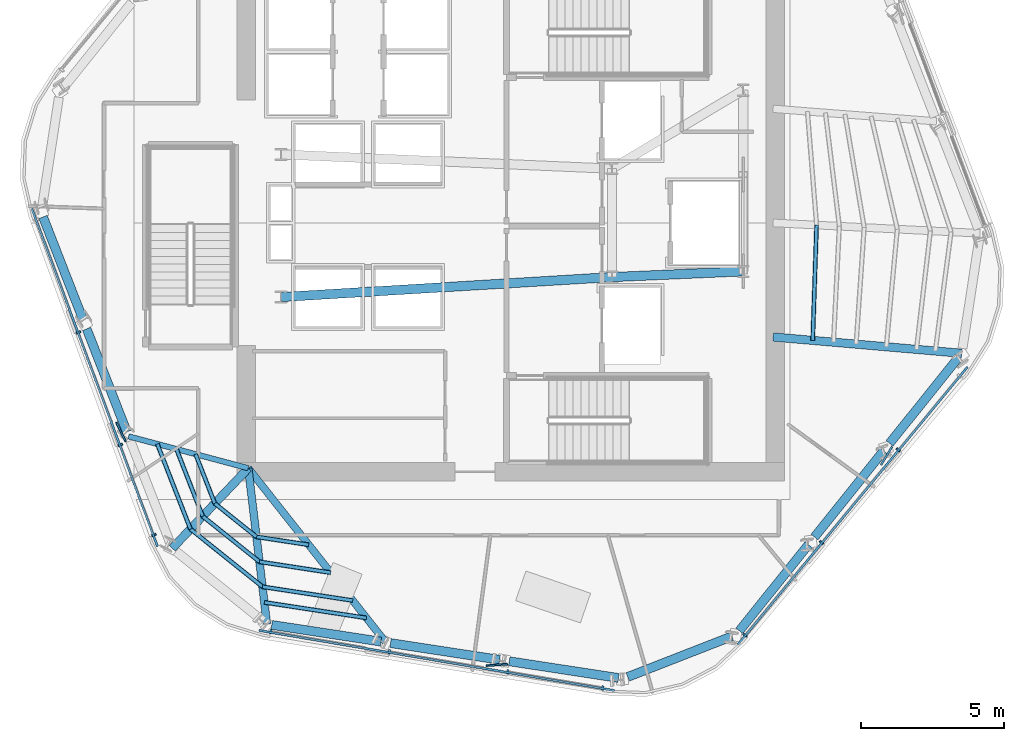
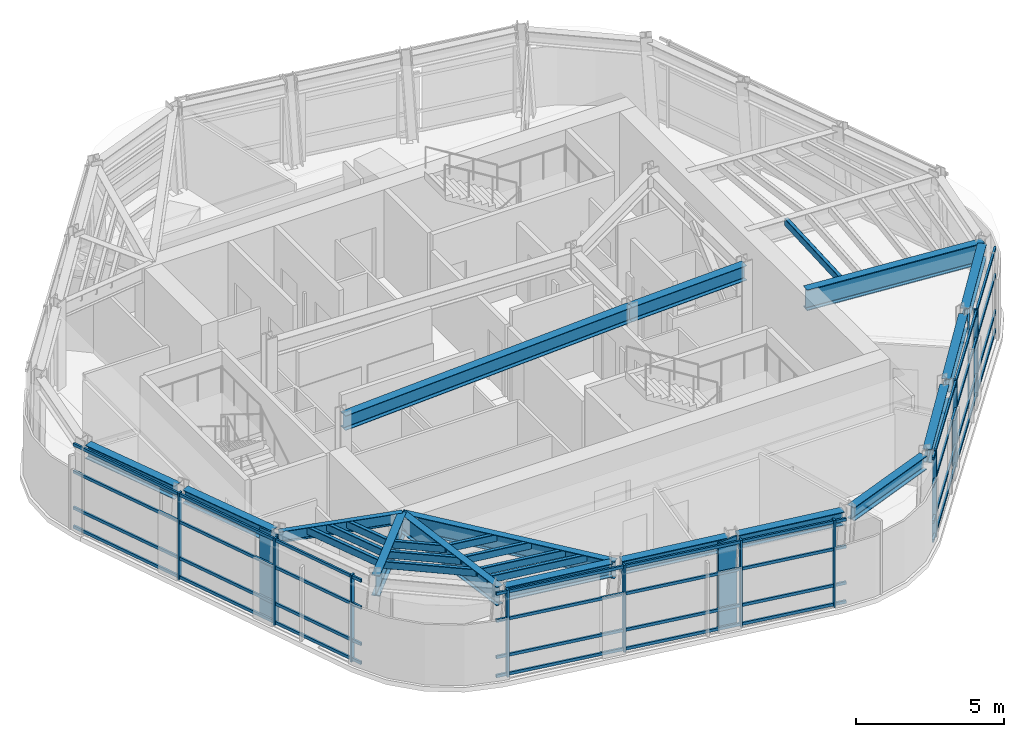
# One storey, part 2 of 12: 36 members, 16 beams, 3 elements without a shape of their own.
"""IFC4 building model written with IfcOpenShell, lengths in metres."""

import ifcopenshell
import ifcopenshell.guid

model = None  # the IFC model being written
_history = None  # IfcOwnerHistory: only IFC2X3 demands one
_inside = {}  # id of a spatial element -> (the spatial element, [elements in it])
_under = {}  # id of a project, library or spatial element -> (it, [spatial elements below it])
_declared = {}  # id of a project -> (the project, [libraries it declares])
_typed = {}  # id of a type object -> (the type object, [elements of that type])
_made_of = {}  # id of a material, layer set ... -> (it, [elements and type objects made of it])


def new_model(schema):
    """Start an empty IFC model of exactly this schema.

    Asked for "IFC4X3", IfcOpenShell would pick the latest addendum, in which some entities
    have other attributes; the version numbers below select the first issue.
    IFC2X3 requires an IfcOwnerHistory on every rooted entity: one is made here for all.
    """
    global model, _history
    if schema == "IFC4X3":
        model = ifcopenshell.file(schema_version=(4, 3, 0, 0))
    else:
        model = ifcopenshell.file(schema=schema)
    _inside.clear()
    _under.clear()
    _declared.clear()
    _typed.clear()
    _made_of.clear()
    _history = None
    if model.schema == "IFC2X3":
        org = make("IfcOrganization", Name="unknown")
        user = make(
            "IfcPersonAndOrganization",
            ThePerson=make("IfcPerson", FamilyName="unknown"),
            TheOrganization=org,
        )
        app = make(
            "IfcApplication",
            ApplicationDeveloper=org,
            Version="unknown",
            ApplicationFullName="unknown",
            ApplicationIdentifier="unknown",
        )
        _history = make(
            "IfcOwnerHistory",
            OwningUser=user,
            OwningApplication=app,
            ChangeAction="ADDED",
            CreationDate=0,
        )
    return model


def make(cls, **values):
    """One entity of the class cls with the attributes given. An attribute that is None is left unset."""
    return model.create_entity(
        cls, **{name: value for name, value in values.items() if value is not None}
    )


def rooted(cls, **values):
    """An entity with a GlobalId (a new one), such as an element, a storey or a relation."""
    return make(cls, GlobalId=ifcopenshell.guid.new(), OwnerHistory=_history, **values)


def si_unit(unit_type, name, prefix=None):
    """IfcSIUnit, for example si_unit("LENGTHUNIT", "METRE", prefix="MILLI")."""
    return make("IfcSIUnit", UnitType=unit_type, Prefix=prefix, Name=name)


def assignment(units):
    """IfcUnitAssignment: the units of a project."""
    return None if units is None else make("IfcUnitAssignment", Units=units)


def point(xyz):
    """IfcCartesianPoint."""
    return None if xyz is None else make("IfcCartesianPoint", Coordinates=xyz)


def direction(xyz):
    """IfcDirection."""
    return None if xyz is None else make("IfcDirection", DirectionRatios=xyz)


def frame(location, z_axis=None, x_axis=None):
    """IfcAxis2Placement3D, a coordinate frame: its origin and axes. An axis left out is left unset."""
    return make(
        "IfcAxis2Placement3D",
        Location=point(location),
        Axis=direction(z_axis),
        RefDirection=direction(x_axis),
    )


def frame_2d(location, x_axis=None):
    """IfcAxis2Placement2D, a coordinate frame in the plane: its origin and x axis."""
    return make(
        "IfcAxis2Placement2D", Location=point(location), RefDirection=direction(x_axis)
    )


def origin():
    """The frame at (0, 0, 0) with its axes left unset."""
    return frame((0.0, 0.0, 0.0))


def origin_2d():
    """The frame at (0, 0) in the plane with its x axis left unset."""
    return frame_2d((0.0, 0.0))


def place(relative_to, where):
    """IfcLocalPlacement: puts the frame where relative to a parent placement (None: the world)."""
    return make(
        "IfcLocalPlacement", PlacementRelTo=relative_to, RelativePlacement=where
    )


def context(
    kind, dimensions, precision=None, world=None, true_north=None, identifier=None
):
    """IfcGeometricRepresentationContext, for example the 3D "Model" context."""
    return make(
        "IfcGeometricRepresentationContext",
        ContextIdentifier=identifier,
        ContextType=kind,
        CoordinateSpaceDimension=dimensions,
        Precision=precision,
        WorldCoordinateSystem=world,
        TrueNorth=true_north,
    )


def subcontext(parent, identifier, kind, view, scale=None):
    """IfcGeometricRepresentationSubContext, for example "Body" below "Model"."""
    return make(
        "IfcGeometricRepresentationSubContext",
        ContextIdentifier=identifier,
        ContextType=kind,
        ParentContext=parent,
        TargetScale=scale,
        TargetView=view,
    )


def project(units=None, contexts=None):
    """IfcProject with its units and contexts."""
    return rooted(
        "IfcProject",
        Name="project",
        RepresentationContexts=contexts,
        UnitsInContext=assignment(units),
    )


def spatial(cls, under=None, at=None, **own):
    """A site, building, storey or space (cls), placed at a placement, below another one or the project."""
    s = rooted(cls, ObjectPlacement=at, **own)
    if under is not None:
        _under.setdefault(under.id(), (under, []))[1].append(s)
    return s


def profile(cls, at=None, kind="AREA", **sizes):
    """A parametric profile (cls). Its sizes go by their IFC names, for example OverallWidth=200.0."""
    return make(cls, ProfileType=kind, Position=at, **sizes)


def rectangle(**sizes):
    """IfcRectangleProfileDef."""
    return profile("IfcRectangleProfileDef", **sizes)


def hollow_rectangle(**sizes):
    """IfcRectangleHollowProfileDef."""
    return profile("IfcRectangleHollowProfileDef", **sizes)


def i_section(**sizes):
    """IfcIShapeProfileDef."""
    return profile("IfcIShapeProfileDef", **sizes)


def extrude(swept, where, along, depth):
    """IfcExtrudedAreaSolid: the profile swept, set in the frame where, extruded along a direction by depth."""
    return make(
        "IfcExtrudedAreaSolid",
        SweptArea=swept,
        Position=where,
        ExtrudedDirection=direction(along),
        Depth=depth,
    )


def shape(context_of_items, identifier, shape_type, items):
    """IfcShapeRepresentation: the items that make up one representation, for example the "Body"."""
    return make(
        "IfcShapeRepresentation",
        ContextOfItems=context_of_items,
        RepresentationIdentifier=identifier,
        RepresentationType=shape_type,
        Items=items,
    )


def material(Name=None, Category=None):
    """IfcMaterial."""
    return make("IfcMaterial", Name=Name, Category=Category)


def layer(
    of_material, thickness, ventilated=None, Name=None, Category=None, Priority=None
):
    """IfcMaterialLayer: one layer of a wall or slab, of a material (None: an air gap)."""
    return make(
        "IfcMaterialLayer",
        Material=of_material,
        LayerThickness=thickness,
        IsVentilated=ventilated,
        Name=Name,
        Category=Category,
        Priority=Priority,
    )


def layer_set(layers, Name=None):
    """IfcMaterialLayerSet."""
    return make("IfcMaterialLayerSet", MaterialLayers=layers, LayerSetName=Name)


def material_profile(
    of_material, cross_section, Name=None, Category=None, Priority=None
):
    """IfcMaterialProfile: a cross section and its material."""
    return make(
        "IfcMaterialProfile",
        Name=Name,
        Material=of_material,
        Profile=cross_section,
        Priority=Priority,
        Category=Category,
    )


def profile_set(profiles, Name=None, composite=None):
    """IfcMaterialProfileSet."""
    return make(
        "IfcMaterialProfileSet",
        Name=Name,
        MaterialProfiles=profiles,
        CompositeProfile=composite,
    )


def made_of(thing, what):
    """Note that an element or type object is made of a material, layer set ...; save() writes the relation."""
    if what is not None:
        _made_of.setdefault(what.id(), (what, []))[1].append(thing)
    return thing


def type_object(cls, material=None, **own):
    """A type object (cls), such as IfcWallType, which elements share."""
    return made_of(rooted(cls, **own), material)


def element(
    cls,
    number,
    at=None,
    inside=None,
    cuts=None,
    type_object=None,
    material=None,
    context=None,
    identifier="Body",
    shape_type=None,
    held_by="IfcProductDefinitionShape",
    body=None,
    shapes=None,
    **own,
):
    """One element of the class cls, such as IfcWall. Its Tag is "e" and its number.

    at: its placement. inside: the storey or other place that contains it. cuts: it is an
    opening in that element (IfcRelVoidsElement). A single representation is given by context,
    identifier, shape_type and body (its items); several are given by shapes. held_by: the class
    of the entity that holds the representations. save() writes the other relations.
    """
    e = rooted(cls, Tag="e%d" % number, ObjectPlacement=at, **own)
    if body is not None:
        shapes = [shape(context, identifier, shape_type, body)]
    if shapes is not None:
        e.Representation = make(held_by, Representations=shapes)
    if inside is not None:
        _inside.setdefault(inside.id(), (inside, []))[1].append(e)
    if cuts is not None:
        rooted(
            "IfcRelVoidsElement", RelatingBuildingElement=cuts, RelatedOpeningElement=e
        )
    if type_object is not None:
        _typed.setdefault(type_object.id(), (type_object, []))[1].append(e)
    return made_of(e, material)


def aggregate(whole, parts):
    """IfcRelAggregates: a whole, such as a stair, and the parts it consists of."""
    return rooted("IfcRelAggregates", RelatingObject=whole, RelatedObjects=parts)


def save(model, path):
    """Write the relations noted so far, then the file.

    IfcRelAggregates (storeys below a building ...), IfcRelContainedInSpatialStructure (elements
    in a storey), IfcRelDefinesByType, IfcRelAssociatesMaterial and IfcRelDeclares: one each for
    every whole, place, type object, material and project.
    """
    for whole, parts in _under.values():
        aggregate(whole, parts)
    for where, things in _inside.values():
        rooted(
            "IfcRelContainedInSpatialStructure",
            RelatedElements=things,
            RelatingStructure=where,
        )
    for kind, things in _typed.values():
        rooted("IfcRelDefinesByType", RelatedObjects=things, RelatingType=kind)
    for what, things in _made_of.values():
        rooted("IfcRelAssociatesMaterial", RelatedObjects=things, RelatingMaterial=what)
    for by, libraries in _declared.values():
        rooted("IfcRelDeclares", RelatingContext=by, RelatedDefinitions=libraries)
    model.write(path)


model = new_model("IFC4")

# Units and contexts
model_context = context("Model", 3, precision=1e-05, world=origin(), true_north=direction((0.0, 1.0)))
body_context = subcontext(model_context, "Body", "Model", "MODEL_VIEW")
ifc_project = project(units=[si_unit("LENGTHUNIT", "METRE"), si_unit("AREAUNIT", "SQUARE_METRE"), si_unit("VOLUMEUNIT", "CUBIC_METRE"), si_unit("PLANEANGLEUNIT", "RADIAN"), si_unit("MASSUNIT", "GRAM", prefix="KILO")], contexts=[model_context])

# Site, building, storey
site_placement = place(None, origin())
site = spatial("IfcSite", under=ifc_project, at=site_placement, CompositionType="ELEMENT")
building_placement = place(site_placement, origin())
building = spatial("IfcBuilding", under=site, at=building_placement, Name="Valkerne Bourse Tower", CompositionType="ELEMENT")
storey_placement = place(building_placement, frame((0.0, 0.0, 239.800048828125)))
storey = spatial("IfcBuildingStorey", under=building, at=storey_placement, Name="L61", CompositionType="ELEMENT", Elevation=239.800048828125)

# Beams
ifc_material_1 = material(Name="Steel ASTM A992", Category="steel")
ifc_material_profile_1 = material_profile(ifc_material_1, i_section(OverallWidth=0.1904296875, OverallDepth=0.457275390625, WebThickness=0.009033203125, FlangeThickness=0.014404296875, FilletRadius=0.01513671875, at=origin_2d()), Name="W18X50")
ifc_profile_set_1 = profile_set([ifc_material_profile_1], Name="Steel ASTM A992")
beam_type_1 = type_object("IfcBeamType", Name="BM-W18X50", PredefinedType="JOIST", material=ifc_profile_set_1)
beam_1_placement = place(storey_placement, frame((33.404541015625, 19.516845703125, 3.371337890625), z_axis=(0.966342186035, -0.257260139721, 0.0), x_axis=(0.257260139721, 0.966342186035, 0.0)))
element("IfcBeam", 1, at=beam_1_placement, inside=storey, type_object=beam_type_1, Name="L61 Radial Composite Floor Beam 10", PredefinedType="JOIST", context=body_context, shape_type="SweptSolid", body=[
    extrude(i_section(OverallWidth=0.1904296875, OverallDepth=0.457275390625, WebThickness=0.009033203125, FlangeThickness=0.014404296875, FilletRadius=0.01513671875, at=origin_2d()), origin(), (0.0, 0.0, 1.0), 4.341796875),
])
ifc_material_profile_2 = material_profile(ifc_material_1, i_section(OverallWidth=0.31494140625, OverallDepth=0.5537109375, WebThickness=0.0166015625, FlangeThickness=0.026123046875, FilletRadius=0.020263671875, at=origin_2d()), Name="W21X132")
ifc_profile_set_2 = profile_set([ifc_material_profile_2], Name="Steel ASTM A992")
beam_type_2 = type_object("IfcBeamType", Name="BM-W21X132", PredefinedType="BEAM", material=ifc_profile_set_2)
for number, where, z_axis, x_axis, name in (
    (2, (30.40625, 27.20703125, 3.3232421875), (0.36325551787, -0.931689555988, 0.0), (0.931689555988, 0.36325551787, 0.0), "L61 Hexagonal Spandrel Ring Beam 08"),
    (3, (31.936279296875, 23.28271484375, 3.3232421875), (0.36325551787, -0.931689555988, 0.0), (0.931689555988, 0.36325551787, 0.0), "L61 Hexagonal Spandrel Ring Beam 09"),
):
    element("IfcBeam", number, at=place(storey_placement, frame(where, z_axis=z_axis, x_axis=x_axis)), inside=storey, type_object=beam_type_2, Name=name, PredefinedType="BEAM", context=body_context, shape_type="SweptSolid", body=[
        extrude(i_section(OverallWidth=0.31494140625, OverallDepth=0.5537109375, WebThickness=0.0166015625, FlangeThickness=0.026123046875, FilletRadius=0.020263671875, at=origin_2d()), origin(), (0.0, 0.0, 1.0), 3.871826171875),
    ])
beam_2_placement = place(storey_placement, frame((38.423583984375, 12.906005859375, 3.3232421875), z_axis=(0.988494557299, -0.15125643851, 0.0), x_axis=(0.15125643851, 0.988494557299, 0.0)))
element("IfcBeam", 4, at=beam_2_placement, inside=storey, type_object=beam_type_2, Name="L61 Hexagonal Spandrel Ring Beam 12", PredefinedType="BEAM", context=body_context, shape_type="SweptSolid", body=[
    extrude(i_section(OverallWidth=0.31494140625, OverallDepth=0.5537109375, WebThickness=0.0166015625, FlangeThickness=0.026123046875, FilletRadius=0.020263671875, at=origin_2d()), origin(), (0.0, 0.0, 1.0), 3.8720703125),
])
beam_3_placement = place(storey_placement, frame((42.58740234375, 12.26904296875, 3.3232421875), z_axis=(0.988493114679, -0.151265866053, 0.0), x_axis=(0.151265866053, 0.988493114679, 0.0)))
element("IfcBeam", 5, at=beam_3_placement, inside=storey, type_object=beam_type_2, Name="L61 Hexagonal Spandrel Ring Beam 13", PredefinedType="BEAM", context=body_context, shape_type="SweptSolid", body=[
    extrude(i_section(OverallWidth=0.31494140625, OverallDepth=0.5537109375, WebThickness=0.0166015625, FlangeThickness=0.026123046875, FilletRadius=0.020263671875, at=origin_2d()), origin(), (0.0, 0.0, 1.0), 3.871826171875),
])
beam_4_placement = place(storey_placement, frame((46.750732421875, 11.6318359375, 3.3232421875), z_axis=(0.988494557299, -0.15125643851, 0.0), x_axis=(0.15125643851, 0.988494557299, 0.0)))
element("IfcBeam", 6, at=beam_4_placement, inside=storey, type_object=beam_type_2, Name="L61 Hexagonal Spandrel Ring Beam 14", PredefinedType="BEAM", context=body_context, shape_type="SweptSolid", body=[
    extrude(i_section(OverallWidth=0.31494140625, OverallDepth=0.5537109375, WebThickness=0.0166015625, FlangeThickness=0.026123046875, FilletRadius=0.020263671875, at=origin_2d()), origin(), (0.0, 0.0, 1.0), 3.8720703125),
])
beam_5_placement = place(storey_placement, frame((50.90478515625, 11.082275390625, 3.3232421875), z_axis=(0.931691908063, 0.363249485135, 0.0), x_axis=(-0.363249485135, 0.931691908063, 0.0)))
element("IfcBeam", 7, at=beam_5_placement, inside=storey, type_object=beam_type_2, Name="L61 Hexagonal Spandrel Ring Beam 15", PredefinedType="BEAM", context=body_context, shape_type="SweptSolid", body=[
    extrude(i_section(OverallWidth=0.31494140625, OverallDepth=0.5537109375, WebThickness=0.0166015625, FlangeThickness=0.026123046875, FilletRadius=0.020263671875, at=origin_2d()), origin(), (0.0, 0.0, 1.0), 3.915771484375),
])
beam_6_placement = place(storey_placement, frame((54.817626953125, 12.698974609375, 3.3232421875), z_axis=(0.625248539908, 0.780425693671, 0.0), x_axis=(-0.780425693671, 0.625248539908, 0.0)))
element("IfcBeam", 8, at=beam_6_placement, inside=storey, type_object=beam_type_2, Name="L61 Hexagonal Spandrel Ring Beam 16", PredefinedType="BEAM", context=body_context, shape_type="SweptSolid", body=[
    extrude(i_section(OverallWidth=0.31494140625, OverallDepth=0.5537109375, WebThickness=0.0166015625, FlangeThickness=0.026123046875, FilletRadius=0.020263671875, at=origin_2d()), origin(), (0.0, 0.0, 1.0), 3.871826171875),
])
beam_7_placement = place(storey_placement, frame((57.451171875, 15.986083984375, 3.3232421875), z_axis=(0.625217772855, 0.780450342114, 0.0), x_axis=(-0.780450342114, 0.625217772855, 0.0)))
element("IfcBeam", 9, at=beam_7_placement, inside=storey, type_object=beam_type_2, Name="L61 Hexagonal Spandrel Ring Beam 17", PredefinedType="BEAM", context=body_context, shape_type="SweptSolid", body=[
    extrude(i_section(OverallWidth=0.31494140625, OverallDepth=0.5537109375, WebThickness=0.0166015625, FlangeThickness=0.026123046875, FilletRadius=0.020263671875, at=origin_2d()), origin(), (0.0, 0.0, 1.0), 3.8720703125),
])
beam_8_placement = place(storey_placement, frame((60.084716796875, 19.2734375, 3.3232421875), z_axis=(0.625248539908, 0.780425693671, 0.0), x_axis=(-0.780425693671, 0.625248539908, 0.0)))
element("IfcBeam", 10, at=beam_8_placement, inside=storey, type_object=beam_type_2, Name="L61 Hexagonal Spandrel Ring Beam 18", PredefinedType="BEAM", context=body_context, shape_type="SweptSolid", body=[
    extrude(i_section(OverallWidth=0.31494140625, OverallDepth=0.5537109375, WebThickness=0.0166015625, FlangeThickness=0.026123046875, FilletRadius=0.020263671875, at=origin_2d()), origin(), (0.0, 0.0, 1.0), 3.871826171875),
])
ifc_material_profile_3 = material_profile(ifc_material_1, i_section(OverallWidth=0.3251953125, OverallDepth=0.612060546875, WebThickness=0.0126953125, FlangeThickness=0.01904296875, FilletRadius=0.020263671875, at=origin_2d()), Name="W24X104")
ifc_profile_set_3 = profile_set([ifc_material_profile_3], Name="Steel ASTM A992")
beam_type_3 = type_object("IfcBeamType", Name="BM-W24X104", PredefinedType="BEAM", material=ifc_profile_set_3)
beam_9_placement = place(storey_placement, frame((50.35009765625, 25.10009765625, 3.2939453125), z_axis=(0.999056558506, 0.043428019819, 0.0), x_axis=(-0.043428019819, 0.999056558506, 0.0)))
element("IfcBeam", 11, at=beam_9_placement, inside=storey, type_object=beam_type_3, Name="L61 Core Frame Girder CG-SE", PredefinedType="BEAM", context=body_context, shape_type="SweptSolid", body=[
    extrude(i_section(OverallWidth=0.3251953125, OverallDepth=0.612060546875, WebThickness=0.0126953125, FlangeThickness=0.01904296875, FilletRadius=0.020263671875, at=origin_2d()), origin(), (0.0, 0.0, 1.0), 4.604248046875),
])
beam_10_placement = place(storey_placement, frame((38.75, 24.39990234375, 3.2939453125), z_axis=(0.998183228389, 0.060251494276, 0.0), x_axis=(-0.060251494276, 0.998183228389, 0.0)))
element("IfcBeam", 12, at=beam_10_placement, inside=storey, type_object=beam_type_3, Name="L61 Core Frame Girder CG-SW", PredefinedType="BEAM", context=body_context, shape_type="SweptSolid", body=[
    extrude(i_section(OverallWidth=0.3251953125, OverallDepth=0.612060546875, WebThickness=0.0126953125, FlangeThickness=0.01904296875, FilletRadius=0.020263671875, at=origin_2d()), origin(), (0.0, 0.0, 1.0), 11.62109375),
])
ifc_material_profile_4 = material_profile(ifc_material_1, i_section(OverallWidth=0.255859375, OverallDepth=0.693359375, WebThickness=0.014404296875, FlangeThickness=0.023681640625, FilletRadius=0.02294921875, at=origin_2d()), Name="W27X114")
ifc_profile_set_4 = profile_set([ifc_material_profile_4], Name="Steel ASTM A992")
beam_type_4 = type_object("IfcBeamType", Name="BM-W27X114", PredefinedType="BEAM", material=ifc_profile_set_4)
beam_11_placement = place(storey_placement, frame((42.419189453125, 12.294677734375, 3.253173828125), z_axis=(-0.619579152467, 0.784934184393, 0.0), x_axis=(-0.784934184393, -0.619579152467, 0.0)))
element("IfcBeam", 13, at=beam_11_placement, inside=storey, type_object=beam_type_4, Name="L61 Radial Composite Floor Beam 13", PredefinedType="BEAM", context=body_context, shape_type="SweptSolid", body=[
    extrude(i_section(OverallWidth=0.255859375, OverallDepth=0.693359375, WebThickness=0.014404296875, FlangeThickness=0.023681640625, FilletRadius=0.02294921875, at=origin_2d()), origin(), (0.0, 0.0, 1.0), 7.778076171875),
])
ifc_material_profile_5 = material_profile(ifc_material_1, i_section(OverallWidth=0.26806640625, OverallDepth=0.76953125, WebThickness=0.015625, FlangeThickness=0.025390625, FilletRadius=0.025390625, at=origin_2d()), Name="W30X132")
ifc_profile_set_5 = profile_set([ifc_material_profile_5], Name="Steel ASTM A992")
beam_type_5 = type_object("IfcBeamType", Name="BM-W30X132", PredefinedType="BEAM", material=ifc_profile_set_5)
beam_12_placement = place(storey_placement, frame((38.255615234375, 12.931884765625, 3.215087890625), z_axis=(-0.119029846261, 0.99289067661, 0.0), x_axis=(-0.99289067661, -0.119029846261, 0.0)))
element("IfcBeam", 14, at=beam_12_placement, inside=storey, type_object=beam_type_5, Name="L61 Radial Composite Floor Beam 12", PredefinedType="BEAM", context=body_context, shape_type="SweptSolid", body=[
    extrude(i_section(OverallWidth=0.26806640625, OverallDepth=0.76953125, WebThickness=0.015625, FlangeThickness=0.025390625, FilletRadius=0.025390625, at=origin_2d()), origin(), (0.0, 0.0, 1.0), 5.507080078125),
])
ifc_material_profile_6 = material_profile(ifc_material_1, i_section(OverallWidth=0.2919921875, OverallDepth=0.8583984375, WebThickness=0.01708984375, FlangeThickness=0.031005859375, FilletRadius=0.025390625, at=origin_2d()), Name="W33X169")
ifc_profile_set_6 = profile_set([ifc_material_profile_6], Name="Steel ASTM A992")
beam_type_6 = type_object("IfcBeamType", Name="BM-W33X169", PredefinedType="BEAM", material=ifc_profile_set_6)
beam_13_placement = place(storey_placement, frame((34.9345703125, 15.592529296875, 3.170654296875), z_axis=(0.688548885687, 0.725189928239, 0.0), x_axis=(-0.725189928239, 0.688548885687, 0.0)))
element("IfcBeam", 15, at=beam_13_placement, inside=storey, type_object=beam_type_6, Name="L61 Radial Composite Floor Beam 11", PredefinedType="BEAM", context=body_context, shape_type="SweptSolid", body=[
    extrude(i_section(OverallWidth=0.2919921875, OverallDepth=0.8583984375, WebThickness=0.01708984375, FlangeThickness=0.031005859375, FilletRadius=0.025390625, at=origin_2d()), origin(), (0.0, 0.0, 1.0), 3.871337890625),
])
beam_14_placement = place(storey_placement, frame((62.61181640625, 22.427978515625, 3.170654296875), z_axis=(-0.99627845336, 0.086193058719, 0.0), x_axis=(-0.086193058719, -0.99627845336, 0.0)))
element("IfcBeam", 16, at=beam_14_placement, inside=storey, type_object=beam_type_6, Name="L61 Radial Composite Floor Beam 19", PredefinedType="BEAM", context=body_context, shape_type="SweptSolid", body=[
    extrude(i_section(OverallWidth=0.2919921875, OverallDepth=0.8583984375, WebThickness=0.01708984375, FlangeThickness=0.031005859375, FilletRadius=0.025390625, at=origin_2d()), origin(), (0.0, 0.0, 1.0), 6.636474609375),
])

# Curtain wall, members
ifc_material_2 = material(Name="Aluminium AA 6063-T6", Category="aluminium")
ifc_layer = layer(ifc_material_2, 0.239990234375)
ifc_layer_set = layer_set([ifc_layer], Name="Aluminium AA 6063-T6")
curtain_wall_type = type_object("IfcCurtainWallType", Name="CW-04", PredefinedType="NOTDEFINED", material=ifc_layer_set)
curtain_wall_1_placement = place(storey_placement, origin())
curtain_wall_1 = element("IfcCurtainWall", 17, at=curtain_wall_1_placement, inside=storey, type_object=curtain_wall_type, Name="L61 Hexagonal Stick Curtain Wall Face 3", PredefinedType="NOTDEFINED")
ifc_material_profile_7 = material_profile(ifc_material_2, rectangle(XDim=0.074951171875, YDim=0.159912109375, at=origin_2d()), Name="CWM-75X160")
ifc_profile_set_7 = profile_set([ifc_material_profile_7], Name="Aluminium AA 6063-T6")
member_type_1 = type_object("IfcMemberType", Name="CW-MUL-160X75", PredefinedType="MULLION", material=ifc_profile_set_7)
member_1_placement = place(storey_placement, frame((31.648193359375, 23.163818359375, 0.0), z_axis=(0.0, 0.0, 1.0), x_axis=(0.348569784559, -0.937282831003, 0.0)))
member_1 = element("IfcMember", 18, at=member_1_placement, type_object=member_type_1, Name="CW-L61-F3 Jamb Mullion 01A", PredefinedType="MULLION", context=body_context, shape_type="SweptSolid", body=[
    extrude(rectangle(XDim=0.074951171875, YDim=0.159912109375, at=origin_2d()), origin(), (0.0, 0.0, 1.0), 3.599853515625),
])
member_2_placement = place(storey_placement, frame((33.1162109375, 19.216064453125, 0.0), z_axis=(0.0, 0.0, 1.0), x_axis=(0.348577541207, -0.937279946316, 0.0)))
member_2 = element("IfcMember", 19, at=member_2_placement, type_object=member_type_1, Name="CW-L61-F3 Jamb Mullion 02A", PredefinedType="MULLION", context=body_context, shape_type="SweptSolid", body=[
    extrude(rectangle(XDim=0.074951171875, YDim=0.159912109375, at=origin_2d()), origin(), (0.0, 0.0, 1.0), 3.599853515625),
])
member_3_placement = place(storey_placement, frame((34.291748046875, 16.055419921875, 0.0), z_axis=(0.0, 0.0, 1.0), x_axis=(0.348577541207, -0.937279946316, 0.0)))
member_3 = element("IfcMember", 20, at=member_3_placement, type_object=member_type_1, Name="CW-L61-F3 Jamb Mullion 02B", PredefinedType="MULLION", context=body_context, shape_type="SweptSolid", body=[
    extrude(rectangle(XDim=0.074951171875, YDim=0.159912109375, at=origin_2d()), origin(), (0.0, 0.0, 1.0), 3.599853515625),
])

curtain_wall_2_placement = place(storey_placement, origin())
curtain_wall_2 = element("IfcCurtainWall", 21, at=curtain_wall_2_placement, inside=storey, type_object=curtain_wall_type, Name="L61 Hexagonal Stick Curtain Wall Face 4", PredefinedType="NOTDEFINED")
member_4_placement = place(storey_placement, frame((38.393310546875, 12.662353515625, 0.0), z_axis=(0.0, 0.0, 1.0), x_axis=(0.985997105636, -0.166762428852, 0.0)))
member_4 = element("IfcMember", 22, at=member_4_placement, type_object=member_type_1, Name="CW-L61-F4 Jamb Mullion 00A", PredefinedType="MULLION", context=body_context, shape_type="SweptSolid", body=[
    extrude(rectangle(XDim=0.074951171875, YDim=0.159912109375, at=origin_2d()), origin(), (0.0, 0.0, 1.0), 3.599853515625),
])
member_5_placement = place(storey_placement, frame((42.546142578125, 11.9599609375, 0.0), z_axis=(0.0, 0.0, 1.0), x_axis=(0.985997105636, -0.166762428852, 0.0)))
member_5 = element("IfcMember", 23, at=member_5_placement, type_object=member_type_1, Name="CW-L61-F4 Jamb Mullion 01A", PredefinedType="MULLION", context=body_context, shape_type="SweptSolid", body=[
    extrude(rectangle(XDim=0.074951171875, YDim=0.159912109375, at=origin_2d()), origin(), (0.0, 0.0, 1.0), 3.599853515625),
])
member_6_placement = place(storey_placement, frame((46.69921875, 11.257568359375, 0.0), z_axis=(0.0, 0.0, 1.0), x_axis=(0.985997105636, -0.166762428852, 0.0)))
member_6 = element("IfcMember", 24, at=member_6_placement, type_object=member_type_1, Name="CW-L61-F4 Jamb Mullion 02A", PredefinedType="MULLION", context=body_context, shape_type="SweptSolid", body=[
    extrude(rectangle(XDim=0.074951171875, YDim=0.159912109375, at=origin_2d()), origin(), (0.0, 0.0, 1.0), 3.599853515625),
])
member_7_placement = place(storey_placement, frame((50.02392578125, 10.6953125, 0.0), z_axis=(0.0, 0.0, 1.0), x_axis=(0.985997105636, -0.166762428852, 0.0)))
member_7 = element("IfcMember", 25, at=member_7_placement, type_object=member_type_1, Name="CW-L61-F4 Jamb Mullion 02B", PredefinedType="MULLION", context=body_context, shape_type="SweptSolid", body=[
    extrude(rectangle(XDim=0.074951171875, YDim=0.159912109375, at=origin_2d()), origin(), (0.0, 0.0, 1.0), 3.599853515625),
])

curtain_wall_3_placement = place(storey_placement, origin())
curtain_wall_3 = element("IfcCurtainWall", 26, at=curtain_wall_3_placement, inside=storey, type_object=curtain_wall_type, Name="L61 Hexagonal Stick Curtain Wall Face 5", PredefinedType="NOTDEFINED")
member_8_placement = place(storey_placement, frame((55.01318359375, 12.55078125, 0.0), z_axis=(0.0, 0.0, 1.0), x_axis=(0.637419990415, 0.770516551295, 0.0)))
member_8 = element("IfcMember", 27, at=member_8_placement, type_object=member_type_1, Name="CW-L61-F5 Jamb Mullion 00A", PredefinedType="MULLION", context=body_context, shape_type="SweptSolid", body=[
    extrude(rectangle(XDim=0.074951171875, YDim=0.159912109375, at=origin_2d()), origin(), (0.0, 0.0, 1.0), 3.599853515625),
])
member_9_placement = place(storey_placement, frame((57.697998046875, 15.796142578125, 0.0), z_axis=(0.0, 0.0, 1.0), x_axis=(0.637419990415, 0.770516551295, 0.0)))
member_9 = element("IfcMember", 28, at=member_9_placement, type_object=member_type_1, Name="CW-L61-F5 Jamb Mullion 01A", PredefinedType="MULLION", context=body_context, shape_type="SweptSolid", body=[
    extrude(rectangle(XDim=0.074951171875, YDim=0.159912109375, at=origin_2d()), origin(), (0.0, 0.0, 1.0), 3.599853515625),
])
member_10_placement = place(storey_placement, frame((60.3828125, 19.04150390625, 0.0), z_axis=(0.0, 0.0, 1.0), x_axis=(0.637434085506, 0.770504890728, 0.0)))
member_10 = element("IfcMember", 29, at=member_10_placement, type_object=member_type_1, Name="CW-L61-F5 Jamb Mullion 02A", PredefinedType="MULLION", context=body_context, shape_type="SweptSolid", body=[
    extrude(rectangle(XDim=0.074951171875, YDim=0.159912109375, at=origin_2d()), origin(), (0.0, 0.0, 1.0), 3.599853515625),
])

# Member
ifc_material_profile_8 = material_profile(ifc_material_2, rectangle(XDim=0.074951171875, YDim=0.1201171875, at=origin_2d()), Name="CWT-75X120")
ifc_profile_set_8 = profile_set([ifc_material_profile_8], Name="Aluminium AA 6063-T6")
member_type_2 = type_object("IfcMemberType", Name="CW-TRN-120X75", PredefinedType="USERDEFINED", material=ifc_profile_set_8)
member_11_placement = place(storey_placement, frame((30.014892578125, 27.498291015625, 0.119873046875), z_axis=(0.348570703339, -0.937282489313, 0.0), x_axis=(0.937282489313, 0.348570703339, 0.0)))
member_11 = element("IfcMember", 30, at=member_11_placement, type_object=member_type_2, Name="CW-L61-F3 Continuous Face Transom 1", ObjectType="TRANSOM", PredefinedType="USERDEFINED", context=body_context, shape_type="SweptSolid", body=[
    extrude(rectangle(XDim=0.074951171875, YDim=0.1201171875, at=origin_2d()), origin(), (0.0, 0.0, 1.0), 12.635986328125),
])

member_12_placement = place(storey_placement, frame((30.014892578125, 27.498291015625, 0.89990234375), z_axis=(0.348570703339, -0.937282489313, 0.0), x_axis=(0.937282489313, 0.348570703339, 0.0)))
member_12 = element("IfcMember", 31, at=member_12_placement, type_object=member_type_2, Name="CW-L61-F3 Continuous Face Transom 2", ObjectType="TRANSOM", PredefinedType="USERDEFINED", context=body_context, shape_type="SweptSolid", body=[
    extrude(rectangle(XDim=0.074951171875, YDim=0.1201171875, at=origin_2d()), origin(), (0.0, 0.0, 1.0), 12.635986328125),
])

member_13_placement = place(storey_placement, frame((30.014892578125, 27.498291015625, 2.39990234375), z_axis=(0.348570703339, -0.937282489313, 0.0), x_axis=(0.937282489313, 0.348570703339, 0.0)))
member_13 = element("IfcMember", 32, at=member_13_placement, type_object=member_type_2, Name="CW-L61-F3 Continuous Face Transom 3", ObjectType="TRANSOM", PredefinedType="USERDEFINED", context=body_context, shape_type="SweptSolid", body=[
    extrude(rectangle(XDim=0.074951171875, YDim=0.1201171875, at=origin_2d()), origin(), (0.0, 0.0, 1.0), 12.635986328125),
])

member_14_placement = place(storey_placement, frame((30.014892578125, 27.498291015625, 3.52001953125), z_axis=(0.348570703339, -0.937282489313, 0.0), x_axis=(0.937282489313, 0.348570703339, 0.0)))
member_14 = element("IfcMember", 33, at=member_14_placement, type_object=member_type_2, Name="CW-L61-F3 Continuous Face Transom 4", ObjectType="TRANSOM", PredefinedType="USERDEFINED", context=body_context, shape_type="SweptSolid", body=[
    extrude(rectangle(XDim=0.074951171875, YDim=0.1201171875, at=origin_2d()), origin(), (0.0, 0.0, 1.0), 12.635986328125),
])

aggregate(curtain_wall_1, [member_11, member_12, member_13, member_14, member_1, member_2, member_3])

member_15_placement = place(storey_placement, frame((37.975830078125, 12.712646484375, 0.119873046875), z_axis=(0.985997360984, -0.166760919083, 0.0), x_axis=(0.166760919083, 0.985997360984, 0.0)))
member_15 = element("IfcMember", 34, at=member_15_placement, type_object=member_type_2, Name="CW-L61-F4 Continuous Face Transom 1", ObjectType="TRANSOM", PredefinedType="USERDEFINED", context=body_context, shape_type="SweptSolid", body=[
    extrude(rectangle(XDim=0.074951171875, YDim=0.1201171875, at=origin_2d()), origin(), (0.0, 0.0, 1.0), 12.635986328125),
])

member_16_placement = place(storey_placement, frame((37.975830078125, 12.712646484375, 0.89990234375), z_axis=(0.985997360984, -0.166760919083, 0.0), x_axis=(0.166760919083, 0.985997360984, 0.0)))
member_16 = element("IfcMember", 35, at=member_16_placement, type_object=member_type_2, Name="CW-L61-F4 Continuous Face Transom 2", ObjectType="TRANSOM", PredefinedType="USERDEFINED", context=body_context, shape_type="SweptSolid", body=[
    extrude(rectangle(XDim=0.074951171875, YDim=0.1201171875, at=origin_2d()), origin(), (0.0, 0.0, 1.0), 12.635986328125),
])

member_17_placement = place(storey_placement, frame((37.975830078125, 12.712646484375, 2.39990234375), z_axis=(0.985997360984, -0.166760919083, 0.0), x_axis=(0.166760919083, 0.985997360984, 0.0)))
member_17 = element("IfcMember", 36, at=member_17_placement, type_object=member_type_2, Name="CW-L61-F4 Continuous Face Transom 3", ObjectType="TRANSOM", PredefinedType="USERDEFINED", context=body_context, shape_type="SweptSolid", body=[
    extrude(rectangle(XDim=0.074951171875, YDim=0.1201171875, at=origin_2d()), origin(), (0.0, 0.0, 1.0), 12.635986328125),
])

member_18_placement = place(storey_placement, frame((37.975830078125, 12.712646484375, 3.52001953125), z_axis=(0.985997360984, -0.166760919083, 0.0), x_axis=(0.166760919083, 0.985997360984, 0.0)))
member_18 = element("IfcMember", 37, at=member_18_placement, type_object=member_type_2, Name="CW-L61-F4 Continuous Face Transom 4", ObjectType="TRANSOM", PredefinedType="USERDEFINED", context=body_context, shape_type="SweptSolid", body=[
    extrude(rectangle(XDim=0.074951171875, YDim=0.1201171875, at=origin_2d()), origin(), (0.0, 0.0, 1.0), 12.635986328125),
])

aggregate(curtain_wall_2, [member_15, member_16, member_17, member_18, member_4, member_5, member_6, member_7])

member_19_placement = place(storey_placement, frame((54.760986328125, 12.21435546875, 0.119873046875), z_axis=(0.637417047618, 0.770518985753, 0.0), x_axis=(-0.770518985753, 0.637417047618, 0.0)))
member_19 = element("IfcMember", 38, at=member_19_placement, type_object=member_type_2, Name="CW-L61-F5 Continuous Face Transom 1", ObjectType="TRANSOM", PredefinedType="USERDEFINED", context=body_context, shape_type="SweptSolid", body=[
    extrude(rectangle(XDim=0.074951171875, YDim=0.1201171875, at=origin_2d()), origin(), (0.0, 0.0, 1.0), 12.635986328125),
])

member_20_placement = place(storey_placement, frame((54.760986328125, 12.21435546875, 0.89990234375), z_axis=(0.637417047618, 0.770518985753, 0.0), x_axis=(-0.770518985753, 0.637417047618, 0.0)))
member_20 = element("IfcMember", 39, at=member_20_placement, type_object=member_type_2, Name="CW-L61-F5 Continuous Face Transom 2", ObjectType="TRANSOM", PredefinedType="USERDEFINED", context=body_context, shape_type="SweptSolid", body=[
    extrude(rectangle(XDim=0.074951171875, YDim=0.1201171875, at=origin_2d()), origin(), (0.0, 0.0, 1.0), 12.635986328125),
])

member_21_placement = place(storey_placement, frame((54.760986328125, 12.21435546875, 2.39990234375), z_axis=(0.637417047618, 0.770518985753, 0.0), x_axis=(-0.770518985753, 0.637417047618, 0.0)))
member_21 = element("IfcMember", 40, at=member_21_placement, type_object=member_type_2, Name="CW-L61-F5 Continuous Face Transom 3", ObjectType="TRANSOM", PredefinedType="USERDEFINED", context=body_context, shape_type="SweptSolid", body=[
    extrude(rectangle(XDim=0.074951171875, YDim=0.1201171875, at=origin_2d()), origin(), (0.0, 0.0, 1.0), 12.635986328125),
])

member_22_placement = place(storey_placement, frame((54.760986328125, 12.21435546875, 3.52001953125), z_axis=(0.637417047618, 0.770518985753, 0.0), x_axis=(-0.770518985753, 0.637417047618, 0.0)))
member_22 = element("IfcMember", 41, at=member_22_placement, type_object=member_type_2, Name="CW-L61-F5 Continuous Face Transom 4", ObjectType="TRANSOM", PredefinedType="USERDEFINED", context=body_context, shape_type="SweptSolid", body=[
    extrude(rectangle(XDim=0.074951171875, YDim=0.1201171875, at=origin_2d()), origin(), (0.0, 0.0, 1.0), 12.635986328125),
])

aggregate(curtain_wall_3, [member_19, member_20, member_21, member_22, member_8, member_9, member_10])

# Members
ifc_material_3 = material(Name="Bronze Anodised Aluminium AA 6063-T6", Category="aluminium")
ifc_material_profile_9 = material_profile(ifc_material_3, rectangle(XDim=0.06494140625, YDim=0.75, at=origin_2d()), Name="FIN-65X750")
ifc_profile_set_9 = profile_set([ifc_material_profile_9], Name="Bronze Anodised Aluminium AA 6063-T6")
member_type_3 = type_object("IfcMemberType", Name="FIN-SOLAR-650", PredefinedType="USERDEFINED", material=ifc_profile_set_9)
for number, where, z_axis, x_axis, name in (
    (42, (33.138671875, 19.67236328125, 0.00390625), (0.0, 0.0, 1.0), (-0.901664732479, -0.432435787375, 0.0), "L61 Bronze Anodised Solar Fin F3-02"),
    (43, (46.315185546875, 11.505126953125, 0.00390625), (0.0, 0.0, 1.0), (0.074294916641, -0.9972363137, 0.0), "L61 Bronze Anodised Solar Fin F4-02"),
    (44, (59.9765625, 18.832763671875, 0.00390625), (0.0, 0.0, 1.0), (0.857507763385, -0.514471025166, 0.0), "L61 Bronze Anodised Solar Fin F5-02"),
):
    element("IfcMember", number, at=place(storey_placement, frame(where, z_axis=z_axis, x_axis=x_axis)), inside=storey, type_object=member_type_3, Name=name, ObjectType="SOLAR_FIN", PredefinedType="USERDEFINED", context=body_context, shape_type="SweptSolid", body=[
        extrude(rectangle(XDim=0.06494140625, YDim=0.75, at=origin_2d()), origin(), (0.0, 0.0, 1.0), 3.592041015625),
    ])
ifc_material_4 = material(Name="Steel ASTM A500 Grade C", Category="steel")
ifc_material_profile_10 = material_profile(ifc_material_4, hollow_rectangle(XDim=0.14990234375, YDim=0.300048828125, WallThickness=0.012451171875, OuterFilletRadius=0.02490234375, at=origin_2d()), Name="HSS300X150X12.5")
ifc_profile_set_10 = profile_set([ifc_material_profile_10], Name="Steel ASTM A500 Grade C")
member_type_4 = type_object("IfcMemberType", Name="MBR-HSS300X150X12.5", PredefinedType="PURLIN", material=ifc_profile_set_10)
member_23_placement = place(storey_placement, frame((35.75390625, 18.891357421875, 3.43994140625), z_axis=(0.363336128727, -0.931658122683, 0.0), x_axis=(0.931658122683, 0.363336128727, 0.0)))
element("IfcMember", 45, at=member_23_placement, inside=storey, type_object=member_type_4, Name="L61 Secondary Composite Floor Purlin K-10", PredefinedType="PURLIN", context=body_context, shape_type="SweptSolid", body=[
    extrude(hollow_rectangle(XDim=0.14990234375, YDim=0.300048828125, WallThickness=0.012451171875, OuterFilletRadius=0.02490234375, at=origin_2d()), origin(), (0.0, 0.0, 1.0), 1.853271484375),
])
member_24_placement = place(storey_placement, frame((36.42724609375, 17.164794921875, 3.43994140625), z_axis=(0.780359727316, -0.625330869207, 0.0), x_axis=(0.625330869207, 0.780359727316, 0.0)))
element("IfcMember", 46, at=member_24_placement, inside=storey, type_object=member_type_4, Name="L61 Secondary Composite Floor Purlin K-11", PredefinedType="PURLIN", context=body_context, shape_type="SweptSolid", body=[
    extrude(hollow_rectangle(XDim=0.14990234375, YDim=0.300048828125, WallThickness=0.012451171875, OuterFilletRadius=0.02490234375, at=origin_2d()), origin(), (0.0, 0.0, 1.0), 1.87255859375),
])
member_25_placement = place(storey_placement, frame((37.888427734375, 15.993896484375, 3.43994140625), z_axis=(0.988499270322, -0.151225634639, 0.0), x_axis=(0.151225634639, 0.988499270322, 0.0)))
element("IfcMember", 47, at=member_25_placement, inside=storey, type_object=member_type_4, Name="L61 Secondary Composite Floor Purlin K-12", PredefinedType="PURLIN", context=body_context, shape_type="SweptSolid", body=[
    extrude(hollow_rectangle(XDim=0.14990234375, YDim=0.300048828125, WallThickness=0.012451171875, OuterFilletRadius=0.02490234375, at=origin_2d()), origin(), (0.0, 0.0, 1.0), 1.853271484375),
])
member_26_placement = place(storey_placement, frame((34.411376953125, 19.248779296875, 3.43994140625), z_axis=(0.363263188472, -0.931686565268, 0.0), x_axis=(0.931686565268, 0.363263188472, 0.0)))
element("IfcMember", 48, at=member_26_placement, inside=storey, type_object=member_type_4, Name="L61 Secondary Composite Floor Purlin O-10", PredefinedType="PURLIN", context=body_context, shape_type="SweptSolid", body=[
    extrude(hollow_rectangle(XDim=0.14990234375, YDim=0.300048828125, WallThickness=0.012451171875, OuterFilletRadius=0.02490234375, at=origin_2d()), origin(), (0.0, 0.0, 1.0), 3.201171875),
])
member_27_placement = place(storey_placement, frame((35.57421875, 16.266357421875, 3.43994140625), z_axis=(0.780434124485, -0.62523801655, 0.0), x_axis=(0.62523801655, 0.780434124485, 0.0)))
element("IfcMember", 49, at=member_27_placement, inside=storey, type_object=member_type_4, Name="L61 Secondary Composite Floor Purlin O-11", PredefinedType="PURLIN", context=body_context, shape_type="SweptSolid", body=[
    extrude(hollow_rectangle(XDim=0.14990234375, YDim=0.300048828125, WallThickness=0.012451171875, OuterFilletRadius=0.02490234375, at=origin_2d()), origin(), (0.0, 0.0, 1.0), 3.234375),
])
member_28_placement = place(storey_placement, frame((38.098388671875, 14.244140625, 3.43994140625), z_axis=(0.988497441003, -0.15123759166, 0.0), x_axis=(0.15123759166, 0.988497441003, 0.0)))
element("IfcMember", 50, at=member_28_placement, inside=storey, type_object=member_type_4, Name="L61 Secondary Composite Floor Purlin O-12", PredefinedType="PURLIN", context=body_context, shape_type="SweptSolid", body=[
    extrude(hollow_rectangle(XDim=0.14990234375, YDim=0.300048828125, WallThickness=0.012451171875, OuterFilletRadius=0.02490234375, at=origin_2d()), origin(), (0.0, 0.0, 1.0), 3.201171875),
])
member_29_placement = place(storey_placement, frame((35.082763671875, 19.070068359375, 3.43994140625), z_axis=(0.363248003551, -0.931692485703, 0.0), x_axis=(0.931692485703, 0.363248003551, 0.0)))
element("IfcMember", 51, at=member_29_placement, inside=storey, type_object=member_type_4, Name="L61 Secondary Composite Floor Purlin Z-10", PredefinedType="PURLIN", context=body_context, shape_type="SweptSolid", body=[
    extrude(hollow_rectangle(XDim=0.14990234375, YDim=0.300048828125, WallThickness=0.012451171875, OuterFilletRadius=0.02490234375, at=origin_2d()), origin(), (0.0, 0.0, 1.0), 2.527099609375),
])
member_30_placement = place(storey_placement, frame((36.000732421875, 16.715576171875, 3.43994140625), z_axis=(0.78043017582, -0.625242945318, 0.0), x_axis=(0.625242945318, 0.78043017582, 0.0)))
element("IfcMember", 52, at=member_30_placement, inside=storey, type_object=member_type_4, Name="L61 Secondary Composite Floor Purlin Z-11", PredefinedType="PURLIN", context=body_context, shape_type="SweptSolid", body=[
    extrude(hollow_rectangle(XDim=0.14990234375, YDim=0.300048828125, WallThickness=0.012451171875, OuterFilletRadius=0.02490234375, at=origin_2d()), origin(), (0.0, 0.0, 1.0), 2.55322265625),
])
member_31_placement = place(storey_placement, frame((37.993408203125, 15.119140625, 3.43994140625), z_axis=(0.988491995219, -0.151273181326, 0.0), x_axis=(0.151273181326, 0.988491995219, 0.0)))
element("IfcMember", 53, at=member_31_placement, inside=storey, type_object=member_type_4, Name="L61 Secondary Composite Floor Purlin Z-12", PredefinedType="PURLIN", context=body_context, shape_type="SweptSolid", body=[
    extrude(hollow_rectangle(XDim=0.14990234375, YDim=0.300048828125, WallThickness=0.012451171875, OuterFilletRadius=0.02490234375, at=origin_2d()), origin(), (0.0, 0.0, 1.0), 2.52734375),
])
member_32_placement = place(storey_placement, frame((57.388427734375, 22.8798828125, 3.43994140625), z_axis=(0.033433384775, 0.999440948122, 0.0), x_axis=(-0.999440948122, 0.033433384775, 0.0)))
element("IfcMember", 54, at=member_32_placement, inside=storey, type_object=member_type_4, Name="L61 Secondary Composite Floor Purlin S-19", PredefinedType="PURLIN", context=body_context, shape_type="SweptSolid", body=[
    extrude(hollow_rectangle(XDim=0.14990234375, YDim=0.300048828125, WallThickness=0.012451171875, OuterFilletRadius=0.02490234375, at=origin_2d()), origin(), (0.0, 0.0, 1.0), 4.04541015625),
])
member_33_placement = place(storey_placement, frame((38.163818359375, 13.697265625, 3.43994140625), z_axis=(0.988497578598, -0.151236692328, 0.0), x_axis=(0.151236692328, 0.988497578598, 0.0)))
element("IfcMember", 55, at=member_33_placement, inside=storey, type_object=member_type_4, Name="L61 Secondary Composite Floor Purlin T-12", PredefinedType="PURLIN", context=body_context, shape_type="SweptSolid", body=[
    extrude(hollow_rectangle(XDim=0.14990234375, YDim=0.300048828125, WallThickness=0.012451171875, OuterFilletRadius=0.02490234375, at=origin_2d()), origin(), (0.0, 0.0, 1.0), 3.62255859375),
])

save(model, "model.ifc")
